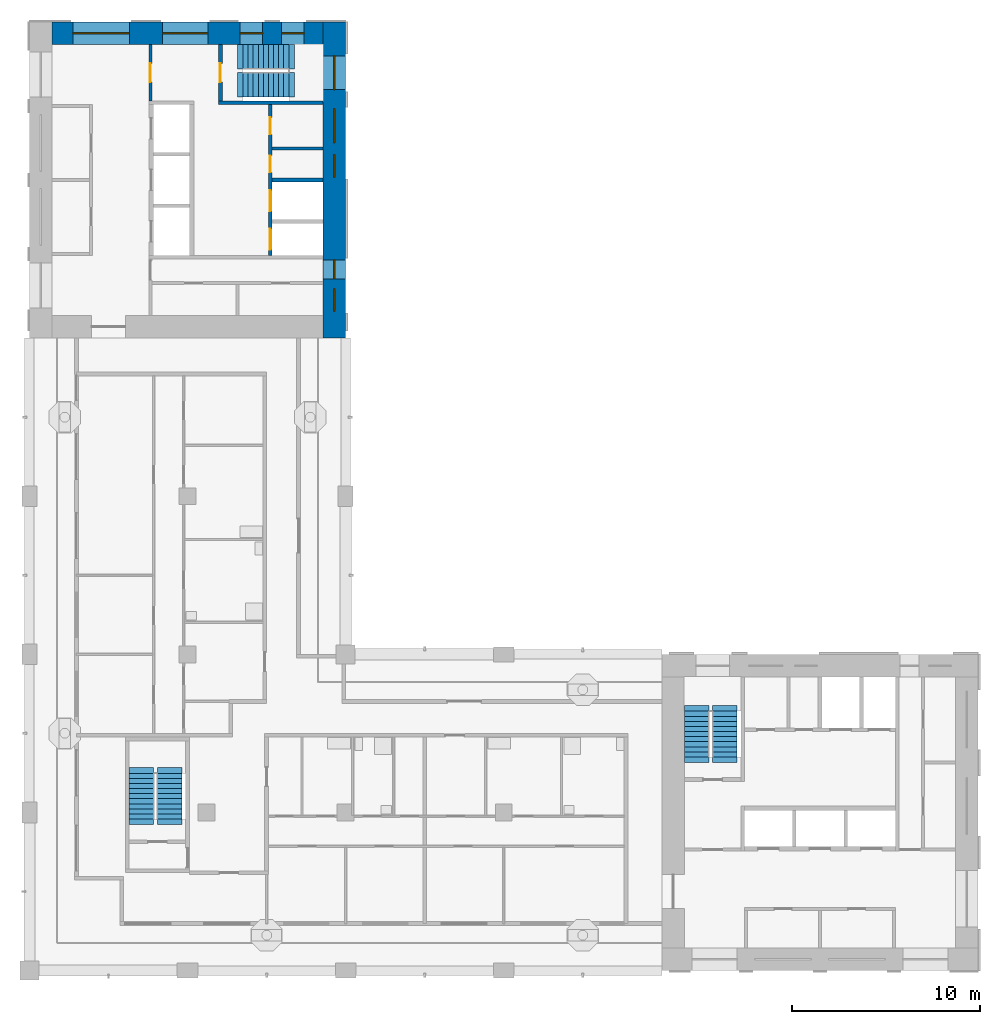
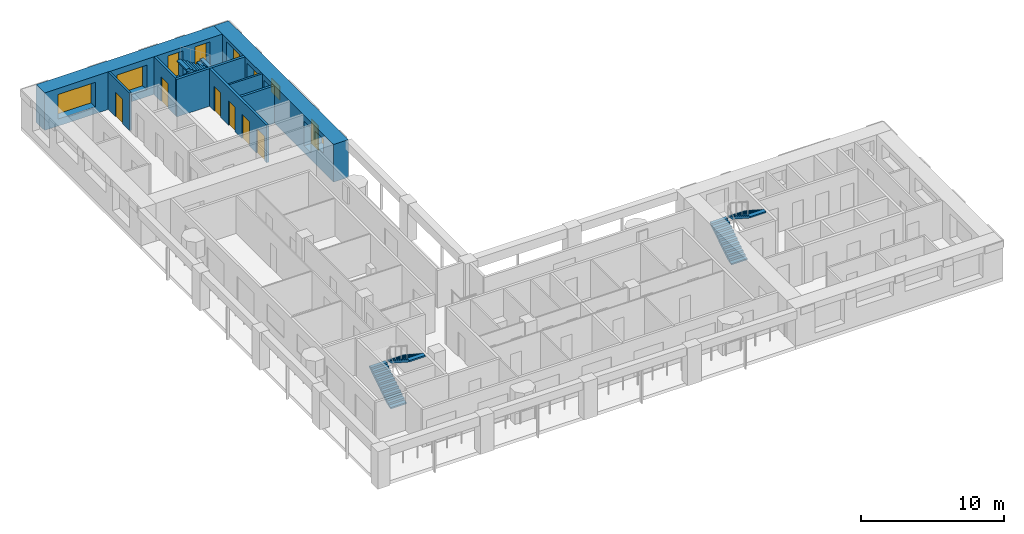
# One storey, part 6 of 11: 9 windows, 8 walls, 6 doors, 6 stair flights, 15 openings, 3 elements without a shape of their own.
"""IFC4 building model written with IfcOpenShell, lengths in metres."""

from ifc_helpers import new_model, si_unit, direction, frame, frame_2d, origin, place, context, subcontext, project, spatial, polyline, rectangle, outline, extrude, material, layer, layer_set, type_object, element, fill, aggregate, save


model = new_model("IFC4")

# Units and contexts
model_context = context("Model", 3, precision=1e-05, world=origin(), true_north=direction((0.0, 1.0)))
body_context = subcontext(model_context, "Body", "Model", "MODEL_VIEW")
ifc_project = project(units=[si_unit("LENGTHUNIT", "METRE"), si_unit("AREAUNIT", "SQUARE_METRE"), si_unit("VOLUMEUNIT", "CUBIC_METRE"), si_unit("PLANEANGLEUNIT", "RADIAN"), si_unit("MASSUNIT", "GRAM", prefix="KILO")], contexts=[model_context])

# Site, building, storey
site_placement = place(None, origin())
site = spatial("IfcSite", under=ifc_project, at=site_placement, CompositionType="ELEMENT")
building_placement = place(site_placement, origin())
building = spatial("IfcBuilding", under=site, at=building_placement, Name="Vermilion Gate Residences", CompositionType="ELEMENT")
storey_placement = place(building_placement, frame((0.0, 0.0, 263.199951171875)))
storey = spatial("IfcBuildingStorey", under=building, at=storey_placement, Name="L69", CompositionType="ELEMENT", Elevation=263.199951171875)

# Wall
ifc_material_1 = material(Name="Masonry blockwork", Category="masonry")
ifc_layer_1 = layer(ifc_material_1, 0.14990234375)
ifc_layer_set_1 = layer_set([ifc_layer_1], Name="BLOCKWORK PARTITION 150 EI 120")
wall_type_1 = type_object("IfcWallType", Name="BLOCKWORK PARTITION 150 EI 120", PredefinedType="PARTITIONING", material=ifc_layer_set_1)
wall_1_placement = place(storey_placement, frame((21.300048828125, 52.074951171875, 0.0), z_axis=(0.0, 0.0, 1.0), x_axis=(1.0, 0.0, 0.0)))
element("IfcWall", 1, at=wall_1_placement, inside=storey, type_object=wall_type_1, Name="Core room partition B69-NR-P0", PredefinedType="PARTITIONING", context=body_context, shape_type="SweptSolid", body=[
    extrude(rectangle(XDim=2.699951171875, YDim=0.14990234375, at=frame_2d((1.35009765625, 0.0))), origin(), (0.0, 0.0, 1.0), 3.219970703125),
])

# Wall, opening, door
wall_2_placement = place(storey_placement, frame((14.824951171875, 57.60009765625, 0.0), z_axis=(0.0, 0.0, 1.0), x_axis=(0.0, -1.0, 0.0)))
wall_2 = element("IfcWall", 2, at=wall_2_placement, inside=storey, type_object=wall_type_1, Name="Core room partition B69-VW-S", PredefinedType="PARTITIONING", context=body_context, shape_type="SweptSolid", body=[
    extrude(rectangle(XDim=3.0, YDim=0.14990234375, at=frame_2d((1.5, 0.0))), origin(), (0.0, 0.0, 1.0), 3.219970703125),
])
opening_1_placement = place(wall_2_placement, frame((1.0, 0.0, 0.0)))
opening_1 = element("IfcOpeningElement", 3, at=opening_1_placement, cuts=wall_2, Name="Opening DK69111", PredefinedType="OPENING", context=body_context, shape_type="SweptSolid", body=[
    extrude(rectangle(XDim=1.0, YDim=2.10009765625, at=frame_2d((0.5, 1.050048828125))), frame((0.0, 0.0849609375, 0.0), z_axis=(0.0, -1.0, 0.0), x_axis=(1.0, 0.0, 0.0)), (0.0, 0.0, 1.0), 0.169921875),
])
ifc_material_2 = material(Name="Steel", Category="steel")
door_type_1 = type_object("IfcDoorType", Name="FIRE DOOR FD60 1000 X 2100", OperationType="SINGLE_SWING_LEFT", PredefinedType="DOOR", material=ifc_material_2)
door_1_placement = place(opening_1_placement, frame((1.0, 0.0, 0.0), z_axis=(0.0, 0.0, 1.0), x_axis=(-1.0, 0.0, 0.0)))
door_1 = element("IfcDoor", 4, at=door_1_placement, inside=storey, type_object=door_type_1, Name="Stair vestibule door B69", OperationType="SINGLE_SWING_RIGHT", OverallHeight=2.10009765625, OverallWidth=1.0, PredefinedType="DOOR", context=body_context, shape_type="SweptSolid", body=[
    extrude(rectangle(XDim=1.0, YDim=2.10009765625, at=frame_2d((0.5, 1.050048828125))), frame((0.0, 0.02490234375, 0.0), z_axis=(0.0, -1.0, 0.0), x_axis=(1.0, 0.0, 0.0)), (0.0, 0.0, 1.0), 0.050048828125),
])
fill(opening_1, door_1)

# Wall
ifc_material_3 = material(Name="Concrete C60", Category="concrete")
ifc_layer_2 = layer(ifc_material_3, 0.199951171875)
ifc_layer_set_2 = layer_set([ifc_layer_2], Name="RC CORE INTERNAL WALL 200 C60")
wall_type_2 = type_object("IfcWallType", Name="RC CORE INTERNAL WALL 200 C60", PredefinedType="SHEAR", material=ifc_layer_set_2)
wall_3_placement = place(storey_placement, frame((21.300048828125, 50.39990234375, 0.0), z_axis=(0.0, 0.0, 1.0), x_axis=(1.0, 0.0, 0.0)))
element("IfcWall", 5, at=wall_3_placement, inside=storey, type_object=wall_type_2, Name="Core internal wall B69-FF-D0", PredefinedType="SHEAR", context=body_context, shape_type="SweptSolid", body=[
    extrude(rectangle(XDim=2.699951171875, YDim=0.199951171875, at=frame_2d((1.35009765625, 0.0))), origin(), (0.0, 0.0, 1.0), 3.219970703125),
])

# Wall, openings, doors
wall_4_placement = place(storey_placement, frame((21.199951171875, 54.39990234375, 0.0), z_axis=(0.0, 0.0, 1.0), x_axis=(0.0, -1.0, 0.0)))
wall_4 = element("IfcWall", 6, at=wall_4_placement, inside=storey, type_object=wall_type_2, Name="Core internal wall B69-FF-F", PredefinedType="SHEAR", context=body_context, shape_type="SweptSolid", body=[
    extrude(rectangle(XDim=8.0, YDim=0.199951171875, at=frame_2d((4.0, 0.0))), origin(), (0.0, 0.0, 1.0), 3.219970703125),
])
opening_2_placement = place(wall_4_placement, frame((0.675048828125, 0.0, 0.0)))
opening_2 = element("IfcOpeningElement", 7, at=opening_2_placement, cuts=wall_4, Name="Opening DK69107", PredefinedType="OPENING", context=body_context, shape_type="SweptSolid", body=[
    extrude(rectangle(XDim=0.89990234375, YDim=2.10009765625, at=frame_2d((0.449951171875, 1.050048828125))), frame((0.0, 0.10986328125, 0.0), z_axis=(0.0, -1.0, 0.0), x_axis=(1.0, 0.0, 0.0)), (0.0, 0.0, 1.0), 0.219970703125),
])
opening_3_placement = place(wall_4_placement, frame((2.699951171875, 0.0, 0.0)))
opening_3 = element("IfcOpeningElement", 8, at=opening_3_placement, cuts=wall_4, Name="Opening DK69108", PredefinedType="OPENING", context=body_context, shape_type="SweptSolid", body=[
    extrude(rectangle(XDim=0.89990234375, YDim=2.10009765625, at=frame_2d((0.449951171875, 1.050048828125))), frame((0.0, 0.10986328125, 0.0), z_axis=(0.0, -1.0, 0.0), x_axis=(1.0, 0.0, 0.0)), (0.0, 0.0, 1.0), 0.219970703125),
])
opening_4_placement = place(wall_4_placement, frame((4.550048828125, 0.0, 0.0)))
opening_4 = element("IfcOpeningElement", 9, at=opening_4_placement, cuts=wall_4, Name="Opening LD", PredefinedType="OPENING", context=body_context, shape_type="SweptSolid", body=[
    extrude(rectangle(XDim=1.10009765625, YDim=2.10009765625, at=frame_2d((0.550048828125, 1.050048828125))), frame((0.0, 0.10986328125, 0.0), z_axis=(0.0, -1.0, 0.0), x_axis=(1.0, 0.0, 0.0)), (0.0, 0.0, 1.0), 0.219970703125),
])
opening_5_placement = place(wall_4_placement, frame((6.60009765625, 0.0, 0.0)))
opening_5 = element("IfcOpeningElement", 10, at=opening_5_placement, cuts=wall_4, Name="Opening LD", PredefinedType="OPENING", context=body_context, shape_type="SweptSolid", body=[
    extrude(rectangle(XDim=1.10009765625, YDim=2.10009765625, at=frame_2d((0.550048828125, 1.050048828125))), frame((0.0, 0.10986328125, 0.0), z_axis=(0.0, -1.0, 0.0), x_axis=(1.0, 0.0, 0.0)), (0.0, 0.0, 1.0), 0.219970703125),
])
ifc_material_4 = material(Name="Stainless steel", Category="steel")
door_type_2 = type_object("IfcDoorType", Name="LIFT LANDING DOOR E60 1100 X 2100", OperationType="DOUBLE_DOOR_SLIDING", PredefinedType="DOOR", material=ifc_material_4)
door_2_placement = place(opening_4_placement, origin())
door_2 = element("IfcDoor", 11, at=door_2_placement, inside=storey, type_object=door_type_2, Name="Lift landing door LFB1", OperationType="DOUBLE_DOOR_SLIDING", OverallHeight=2.10009765625, OverallWidth=1.10009765625, PredefinedType="DOOR", context=body_context, shape_type="SweptSolid", body=[
    extrude(rectangle(XDim=1.10009765625, YDim=2.10009765625, at=frame_2d((0.550048828125, 1.050048828125))), frame((0.0, 0.02490234375, 0.0), z_axis=(0.0, -1.0, 0.0), x_axis=(1.0, 0.0, 0.0)), (0.0, 0.0, 1.0), 0.050048828125),
])
fill(opening_4, door_2)
door_3_placement = place(opening_5_placement, origin())
door_3 = element("IfcDoor", 12, at=door_3_placement, inside=storey, type_object=door_type_2, Name="Lift landing door LCB1", OperationType="DOUBLE_DOOR_SLIDING", OverallHeight=2.10009765625, OverallWidth=1.10009765625, PredefinedType="DOOR", context=body_context, shape_type="SweptSolid", body=[
    extrude(rectangle(XDim=1.10009765625, YDim=2.10009765625, at=frame_2d((0.550048828125, 1.050048828125))), frame((0.0, 0.02490234375, 0.0), z_axis=(0.0, -1.0, 0.0), x_axis=(1.0, 0.0, 0.0)), (0.0, 0.0, 1.0), 0.050048828125),
])
fill(opening_5, door_3)
ifc_material_5 = material(Name="Steel", Category="steel")
door_type_3 = type_object("IfcDoorType", Name="SERVICE ROOM DOOR FD60 900 X 2100", OperationType="SINGLE_SWING_LEFT", PredefinedType="DOOR", material=ifc_material_5)
door_4_placement = place(opening_2_placement, origin())
door_4 = element("IfcDoor", 13, at=door_4_placement, inside=storey, type_object=door_type_3, Name="Parcel room B69", OperationType="SINGLE_SWING_RIGHT", OverallHeight=2.10009765625, OverallWidth=0.89990234375, PredefinedType="DOOR", context=body_context, shape_type="SweptSolid", body=[
    extrude(rectangle(XDim=0.89990234375, YDim=2.10009765625, at=frame_2d((0.449951171875, 1.050048828125))), frame((0.0, 0.02490234375, 0.0), z_axis=(0.0, -1.0, 0.0), x_axis=(1.0, 0.0, 0.0)), (0.0, 0.0, 1.0), 0.050048828125),
])
fill(opening_2, door_4)
door_5_placement = place(opening_3_placement, frame((0.89990234375, 0.0, 0.0), z_axis=(0.0, 0.0, 1.0), x_axis=(-1.0, 0.0, 0.0)))
door_5 = element("IfcDoor", 14, at=door_5_placement, inside=storey, type_object=door_type_3, Name="Electrical room B69", OperationType="SINGLE_SWING_RIGHT", OverallHeight=2.10009765625, OverallWidth=0.89990234375, PredefinedType="DOOR", context=body_context, shape_type="SweptSolid", body=[
    extrude(rectangle(XDim=0.89990234375, YDim=2.10009765625, at=frame_2d((0.449951171875, 1.050048828125))), frame((0.0, 0.02490234375, 0.0), z_axis=(0.0, -1.0, 0.0), x_axis=(1.0, 0.0, 0.0)), (0.0, 0.0, 1.0), 0.050048828125),
])
fill(opening_3, door_5)

# Wall
wall_5_placement = place(storey_placement, frame((18.449951171875, 54.5, 0.0), z_axis=(0.0, 0.0, 1.0), x_axis=(1.0, 0.0, 0.0)))
element("IfcWall", 15, at=wall_5_placement, inside=storey, type_object=wall_type_2, Name="Core internal wall B69-WDIV2", PredefinedType="SHEAR", context=body_context, shape_type="SweptSolid", body=[
    extrude(rectangle(XDim=5.550048828125, YDim=0.199951171875, at=frame_2d((2.77490234375, 0.0))), origin(), (0.0, 0.0, 1.0), 3.219970703125),
])

# Wall, opening, door
wall_6_placement = place(storey_placement, frame((18.550048828125, 57.60009765625, 0.0), z_axis=(0.0, 0.0, 1.0), x_axis=(0.0, -1.0, 0.0)))
wall_6 = element("IfcWall", 16, at=wall_6_placement, inside=storey, type_object=wall_type_2, Name="Core internal wall B69-STW-S", PredefinedType="SHEAR", context=body_context, shape_type="SweptSolid", body=[
    extrude(rectangle(XDim=3.0, YDim=0.199951171875, at=frame_2d((1.5, 0.0))), origin(), (0.0, 0.0, 1.0), 3.219970703125),
])
opening_6_placement = place(wall_6_placement, frame((1.0, 0.0, 0.0)))
opening_6 = element("IfcOpeningElement", 17, at=opening_6_placement, cuts=wall_6, Name="Opening DK69112", PredefinedType="OPENING", context=body_context, shape_type="SweptSolid", body=[
    extrude(rectangle(XDim=1.0, YDim=2.10009765625, at=frame_2d((0.5, 1.050048828125))), frame((0.0, 0.10986328125, 0.0), z_axis=(0.0, -1.0, 0.0), x_axis=(1.0, 0.0, 0.0)), (0.0, 0.0, 1.0), 0.219970703125),
])
door_6_placement = place(opening_6_placement, origin())
door_6 = element("IfcDoor", 18, at=door_6_placement, inside=storey, type_object=door_type_1, Name="Stair door B69", OperationType="SINGLE_SWING_LEFT", OverallHeight=2.10009765625, OverallWidth=1.0, PredefinedType="DOOR", context=body_context, shape_type="SweptSolid", body=[
    extrude(rectangle(XDim=1.0, YDim=2.10009765625, at=frame_2d((0.5, 1.050048828125))), frame((0.0, 0.02490234375, 0.0), z_axis=(0.0, -1.0, 0.0), x_axis=(1.0, 0.0, 0.0)), (0.0, 0.0, 1.0), 0.050048828125),
])
fill(opening_6, door_6)

# Wall, openings, windows
ifc_material_6 = material(Name="Concrete C50 red-oxide pigmented", Category="concrete")
ifc_layer_3 = layer(ifc_material_6, 1.199951171875)
ifc_layer_set_3 = layer_set([ifc_layer_3], Name="RC CORE WALL 1200 C50 RED OXIDE")
wall_type_3 = type_object("IfcWallType", Name="RC CORE WALL 1200 C50 RED OXIDE", PredefinedType="SHEAR", material=ifc_layer_set_3)
wall_7_placement = place(storey_placement, frame((24.60009765625, 58.800048828125, 0.0), z_axis=(0.0, 0.0, 1.0), x_axis=(0.0, -1.0, 0.0)))
wall_7 = element("IfcWall", 19, at=wall_7_placement, inside=storey, type_object=wall_type_3, Name="Core wall B69-OUT-B1", PredefinedType="SHEAR", context=body_context, shape_type="SweptSolid", body=[
    extrude(rectangle(XDim=16.800048828125, YDim=1.199951171875, at=frame_2d((8.39990234375, 0.0))), origin(), (0.0, 0.0, 1.0), 3.219970703125),
])
opening_7_placement = place(wall_7_placement, frame((1.800048828125, 0.0, 0.5)))
opening_7 = element("IfcOpeningElement", 20, at=opening_7_placement, cuts=wall_7, Name="Opening WKB6905", PredefinedType="OPENING", context=body_context, shape_type="SweptSolid", body=[
    extrude(rectangle(XDim=1.800048828125, YDim=2.39990234375, at=frame_2d((0.89990234375, 1.199951171875))), frame((0.0, 0.60986328125, 0.0), z_axis=(0.0, -1.0, 0.0), x_axis=(1.0, 0.0, 0.0)), (0.0, 0.0, 1.0), 1.219970703125),
])
opening_8_placement = place(wall_7_placement, frame((4.625, 0.0, 1.60009765625)))
opening_8 = element("IfcOpeningElement", 21, at=opening_8_placement, cuts=wall_7, Name="Opening WKB6906", PredefinedType="OPENING", context=body_context, shape_type="SweptSolid", body=[
    extrude(rectangle(XDim=1.800048828125, YDim=1.199951171875, at=frame_2d((0.89990234375, 0.60009765625))), frame((0.0, 0.60986328125, 0.0), z_axis=(0.0, -1.0, 0.0), x_axis=(1.0, 0.0, 0.0)), (0.0, 0.0, 1.0), 1.219970703125),
])
opening_9_placement = place(wall_7_placement, frame((7.050048828125, 0.0, 1.60009765625)))
opening_9 = element("IfcOpeningElement", 22, at=opening_9_placement, cuts=wall_7, Name="Opening WKB6907", PredefinedType="OPENING", context=body_context, shape_type="SweptSolid", body=[
    extrude(rectangle(XDim=1.199951171875, YDim=1.199951171875, at=frame_2d((0.60009765625, 0.60009765625))), frame((0.0, 0.60986328125, 0.0), z_axis=(0.0, -1.0, 0.0), x_axis=(1.0, 0.0, 0.0)), (0.0, 0.0, 1.0), 1.219970703125),
])
opening_10_placement = place(wall_7_placement, frame((12.64990234375, 0.0, 0.60009765625)))
opening_10 = element("IfcOpeningElement", 23, at=opening_10_placement, cuts=wall_7, Name="Opening WKB6908", PredefinedType="OPENING", context=body_context, shape_type="SweptSolid", body=[
    extrude(rectangle(XDim=1.0, YDim=2.10009765625, at=frame_2d((0.5, 1.050048828125))), frame((0.0, 0.60986328125, 0.0), z_axis=(0.0, -1.0, 0.0), x_axis=(1.0, 0.0, 0.0)), (0.0, 0.0, 1.0), 1.219970703125),
])
opening_11_placement = place(wall_7_placement, frame((14.175048828125, 0.0, 1.60009765625)))
opening_11 = element("IfcOpeningElement", 24, at=opening_11_placement, cuts=wall_7, Name="Opening WKB6909", PredefinedType="OPENING", context=body_context, shape_type="SweptSolid", body=[
    extrude(rectangle(XDim=1.199951171875, YDim=1.199951171875, at=frame_2d((0.60009765625, 0.60009765625))), frame((0.0, 0.60986328125, 0.0), z_axis=(0.0, -1.0, 0.0), x_axis=(1.0, 0.0, 0.0)), (0.0, 0.0, 1.0), 1.219970703125),
])
ifc_material_7 = material(Name="Aluminium and clear glass", Category="aluminium")
window_type_1 = type_object("IfcWindowType", Name="CORE CORRIDOR WINDOW 1000 X 2100", PartitioningType="SINGLE_PANEL", PredefinedType="WINDOW", material=ifc_material_7)
window_1_placement = place(opening_10_placement, origin())
window_1 = element("IfcWindow", 25, at=window_1_placement, inside=storey, type_object=window_type_1, Name="Core corridor window", OverallHeight=2.10009765625, OverallWidth=1.0, PartitioningType="SINGLE_PANEL", PredefinedType="WINDOW", context=body_context, shape_type="SweptSolid", body=[
    extrude(rectangle(XDim=1.0, YDim=2.10009765625, at=frame_2d((0.5, 1.050048828125))), frame((0.0, 0.030029296875, 0.0), z_axis=(0.0, -1.0, 0.0), x_axis=(1.0, 0.0, 0.0)), (0.0, 0.0, 1.0), 0.06005859375),
])
fill(opening_10, window_1)
ifc_material_8 = material(Name="Aluminium frame with louvre blades", Category="aluminium")
window_type_2 = type_object("IfcWindowType", Name="CORE LOUVRE 1200 X 1200", PartitioningType="SINGLE_PANEL", PredefinedType="WINDOW", material=ifc_material_8)
window_2_placement = place(opening_9_placement, origin())
window_2 = element("IfcWindow", 26, at=window_2_placement, inside=storey, type_object=window_type_2, Name="Core louvre", OverallHeight=1.199951171875, OverallWidth=1.199951171875, PartitioningType="SINGLE_PANEL", PredefinedType="WINDOW", context=body_context, shape_type="SweptSolid", body=[
    extrude(rectangle(XDim=1.199951171875, YDim=1.199951171875, at=frame_2d((0.60009765625, 0.60009765625))), frame((0.0, 0.030029296875, 0.0), z_axis=(0.0, -1.0, 0.0), x_axis=(1.0, 0.0, 0.0)), (0.0, 0.0, 1.0), 0.06005859375),
])
fill(opening_9, window_2)
window_3_placement = place(opening_11_placement, origin())
window_3 = element("IfcWindow", 27, at=window_3_placement, inside=storey, type_object=window_type_2, Name="Core louvre", OverallHeight=1.199951171875, OverallWidth=1.199951171875, PartitioningType="SINGLE_PANEL", PredefinedType="WINDOW", context=body_context, shape_type="SweptSolid", body=[
    extrude(rectangle(XDim=1.199951171875, YDim=1.199951171875, at=frame_2d((0.60009765625, 0.60009765625))), frame((0.0, 0.030029296875, 0.0), z_axis=(0.0, -1.0, 0.0), x_axis=(1.0, 0.0, 0.0)), (0.0, 0.0, 1.0), 0.06005859375),
])
fill(opening_11, window_3)
ifc_material_9 = material(Name="Aluminium frame with louvre blades", Category="aluminium")
window_type_3 = type_object("IfcWindowType", Name="CORE LOUVRE 1800 X 1200", PartitioningType="SINGLE_PANEL", PredefinedType="WINDOW", material=ifc_material_9)
window_4_placement = place(opening_8_placement, origin())
window_4 = element("IfcWindow", 28, at=window_4_placement, inside=storey, type_object=window_type_3, Name="Core louvre", OverallHeight=1.199951171875, OverallWidth=1.800048828125, PartitioningType="SINGLE_PANEL", PredefinedType="WINDOW", context=body_context, shape_type="SweptSolid", body=[
    extrude(rectangle(XDim=1.800048828125, YDim=1.199951171875, at=frame_2d((0.89990234375, 0.60009765625))), frame((0.0, 0.030029296875, 0.0), z_axis=(0.0, -1.0, 0.0), x_axis=(1.0, 0.0, 0.0)), (0.0, 0.0, 1.0), 0.06005859375),
])
fill(opening_8, window_4)
ifc_material_10 = material(Name="Aluminium and clear glass", Category="aluminium")
window_type_4 = type_object("IfcWindowType", Name="CORE STAIR WINDOW 1800 X 2400", PartitioningType="SINGLE_PANEL", PredefinedType="WINDOW", material=ifc_material_10)
window_5_placement = place(opening_7_placement, origin())
window_5 = element("IfcWindow", 29, at=window_5_placement, inside=storey, type_object=window_type_4, Name="Core stair window", OverallHeight=2.39990234375, OverallWidth=1.800048828125, PartitioningType="SINGLE_PANEL", PredefinedType="WINDOW", context=body_context, shape_type="SweptSolid", body=[
    extrude(rectangle(XDim=1.800048828125, YDim=2.39990234375, at=frame_2d((0.89990234375, 1.199951171875))), frame((0.0, 0.030029296875, 0.0), z_axis=(0.0, -1.0, 0.0), x_axis=(1.0, 0.0, 0.0)), (0.0, 0.0, 1.0), 0.06005859375),
])
fill(opening_7, window_5)

wall_8_placement = place(storey_placement, frame((9.60009765625, 58.199951171875, 0.0), z_axis=(0.0, 0.0, 1.0), x_axis=(1.0, 0.0, 0.0)))
wall_8 = element("IfcWall", 30, at=wall_8_placement, inside=storey, type_object=wall_type_3, Name="Core wall B69-OUT-FR", PredefinedType="SHEAR", context=body_context, shape_type="SweptSolid", body=[
    extrude(rectangle(XDim=14.39990234375, YDim=1.199951171875, at=frame_2d((7.199951171875, 0.0))), origin(), (0.0, 0.0, 1.0), 3.219970703125),
])
opening_12_placement = place(wall_8_placement, frame((1.10498046875, 0.0, 0.60009765625)))
opening_12 = element("IfcOpeningElement", 31, at=opening_12_placement, cuts=wall_8, Name="Opening WKB6910", PredefinedType="OPENING", context=body_context, shape_type="SweptSolid", body=[
    extrude(rectangle(XDim=3.0, YDim=2.10009765625, at=frame_2d((1.5, 1.050048828125))), frame((0.0, 0.60986328125, 0.0), z_axis=(0.0, -1.0, 0.0), x_axis=(1.0, 0.0, 0.0)), (0.0, 0.0, 1.0), 1.219970703125),
])
opening_13_placement = place(wall_8_placement, frame((5.875, 0.0, 0.60009765625)))
opening_13 = element("IfcOpeningElement", 32, at=opening_13_placement, cuts=wall_8, Name="Opening WKB6911", PredefinedType="OPENING", context=body_context, shape_type="SweptSolid", body=[
    extrude(rectangle(XDim=2.39990234375, YDim=2.10009765625, at=frame_2d((1.199951171875, 1.050048828125))), frame((0.0, 0.60986328125, 0.0), z_axis=(0.0, -1.0, 0.0), x_axis=(1.0, 0.0, 0.0)), (0.0, 0.0, 1.0), 1.219970703125),
])
opening_14_placement = place(wall_8_placement, frame((9.993408203125, 0.0, 0.5)))
opening_14 = element("IfcOpeningElement", 33, at=opening_14_placement, cuts=wall_8, Name="Opening WKB6912", PredefinedType="OPENING", context=body_context, shape_type="SweptSolid", body=[
    extrude(rectangle(XDim=1.199951171875, YDim=2.39990234375, at=frame_2d((0.60009765625, 1.199951171875))), frame((0.0, 0.60986328125, 0.0), z_axis=(0.0, -1.0, 0.0), x_axis=(1.0, 0.0, 0.0)), (0.0, 0.0, 1.0), 1.219970703125),
])
opening_15_placement = place(wall_8_placement, frame((12.19677734375, 0.0, 0.5)))
opening_15 = element("IfcOpeningElement", 34, at=opening_15_placement, cuts=wall_8, Name="Opening WKB6913", PredefinedType="OPENING", context=body_context, shape_type="SweptSolid", body=[
    extrude(rectangle(XDim=1.199951171875, YDim=2.39990234375, at=frame_2d((0.60009765625, 1.199951171875))), frame((0.0, 0.60986328125, 0.0), z_axis=(0.0, -1.0, 0.0), x_axis=(1.0, 0.0, 0.0)), (0.0, 0.0, 1.0), 1.219970703125),
])
ifc_material_11 = material(Name="Aluminium and clear glass", Category="aluminium")
window_type_5 = type_object("IfcWindowType", Name="CORE LOBBY WINDOW 2400 X 2100", PartitioningType="SINGLE_PANEL", PredefinedType="WINDOW", material=ifc_material_11)
window_6_placement = place(opening_13_placement, origin())
window_6 = element("IfcWindow", 35, at=window_6_placement, inside=storey, type_object=window_type_5, Name="Core lobby window", OverallHeight=2.10009765625, OverallWidth=2.39990234375, PartitioningType="SINGLE_PANEL", PredefinedType="WINDOW", context=body_context, shape_type="SweptSolid", body=[
    extrude(rectangle(XDim=2.39990234375, YDim=2.10009765625, at=frame_2d((1.199951171875, 1.050048828125))), frame((0.0, 0.030029296875, 0.0), z_axis=(0.0, -1.0, 0.0), x_axis=(1.0, 0.0, 0.0)), (0.0, 0.0, 1.0), 0.06005859375),
])
fill(opening_13, window_6)
ifc_material_12 = material(Name="Aluminium and clear glass", Category="aluminium")
window_type_6 = type_object("IfcWindowType", Name="CORE LOBBY WINDOW 3000 X 2100", PartitioningType="SINGLE_PANEL", PredefinedType="WINDOW", material=ifc_material_12)
window_7_placement = place(opening_12_placement, origin())
window_7 = element("IfcWindow", 36, at=window_7_placement, inside=storey, type_object=window_type_6, Name="Core lobby window", OverallHeight=2.10009765625, OverallWidth=3.0, PartitioningType="SINGLE_PANEL", PredefinedType="WINDOW", context=body_context, shape_type="SweptSolid", body=[
    extrude(rectangle(XDim=3.0, YDim=2.10009765625, at=frame_2d((1.5, 1.050048828125))), frame((0.0, 0.030029296875, 0.0), z_axis=(0.0, -1.0, 0.0), x_axis=(1.0, 0.0, 0.0)), (0.0, 0.0, 1.0), 0.06005859375),
])
fill(opening_12, window_7)
ifc_material_13 = material(Name="Aluminium and clear glass", Category="aluminium")
window_type_7 = type_object("IfcWindowType", Name="CORE STAIR WINDOW 1200 X 2400", PartitioningType="SINGLE_PANEL", PredefinedType="WINDOW", material=ifc_material_13)
window_8_placement = place(opening_14_placement, origin())
window_8 = element("IfcWindow", 37, at=window_8_placement, inside=storey, type_object=window_type_7, Name="Core stair window", OverallHeight=2.39990234375, OverallWidth=1.199951171875, PartitioningType="SINGLE_PANEL", PredefinedType="WINDOW", context=body_context, shape_type="SweptSolid", body=[
    extrude(rectangle(XDim=1.199951171875, YDim=2.39990234375, at=frame_2d((0.60009765625, 1.199951171875))), frame((0.0, 0.030029296875, 0.0), z_axis=(0.0, -1.0, 0.0), x_axis=(1.0, 0.0, 0.0)), (0.0, 0.0, 1.0), 0.06005859375),
])
fill(opening_14, window_8)
window_9_placement = place(opening_15_placement, origin())
window_9 = element("IfcWindow", 38, at=window_9_placement, inside=storey, type_object=window_type_7, Name="Core stair window", OverallHeight=2.39990234375, OverallWidth=1.199951171875, PartitioningType="SINGLE_PANEL", PredefinedType="WINDOW", context=body_context, shape_type="SweptSolid", body=[
    extrude(rectangle(XDim=1.199951171875, YDim=2.39990234375, at=frame_2d((0.60009765625, 1.199951171875))), frame((0.0, 0.030029296875, 0.0), z_axis=(0.0, -1.0, 0.0), x_axis=(1.0, 0.0, 0.0)), (0.0, 0.0, 1.0), 0.06005859375),
])
fill(opening_15, window_9)

# Stair, stair flights
ifc_material_14 = material(Name="Concrete C50", Category="concrete")
stair_type = type_object("IfcStairType", Name="SPECIAL ESCAPE STAIR 1300", PredefinedType="HALF_TURN_STAIR", material=ifc_material_14)
stair_1_placement = place(storey_placement, origin())
stair_1 = element("IfcStair", 39, at=stair_1_placement, inside=storey, type_object=stair_type, Name="Special escape stair STA1-69", PredefinedType="HALF_TURN_STAIR")
ifc_material_15 = material(Name="Concrete C50", Category="concrete")
stair_flight_type = type_object("IfcStairFlightType", Name="STAIR FLIGHT 1300 RC C50", PredefinedType="STRAIGHT", material=ifc_material_15)
stair_flight_1_placement = place(storey_placement, frame((43.85009765625, 19.75, 0.0), z_axis=(0.0, 0.0, 1.0), x_axis=(0.0, 1.0, 0.0)))
stair_flight_1 = element("IfcStairFlight", 40, at=stair_flight_1_placement, type_object=stair_flight_type, Name="STA1-69 flight 1", NumberOfRisers=10, NumberOfTreads=9, PredefinedType="STRAIGHT", RiserHeight=0.175, TreadLength=0.27, context=body_context, shape_type="SweptSolid", body=[
    extrude(outline(polyline([(-0.300048828125, -0.14990234375), (-0.300048828125, -0.030029296875), (0.0, 0.0), (0.0, 0.175048828125), (0.27001953125, 0.175048828125), (0.27001953125, 0.35009765625), (0.5400390625, 0.35009765625), (0.5400390625, 0.52490234375), (0.81005859375, 0.52490234375), (0.81005859375, 0.699951171875), (1.080078125, 0.699951171875), (1.080078125, 0.875), (1.35009765625, 0.875), (1.35009765625, 1.050048828125), (1.6201171875, 1.050048828125), (1.6201171875, 1.22509765625), (1.889892578125, 1.22509765625), (1.889892578125, 1.39990234375), (2.159912109375, 1.39990234375), (2.159912109375, 1.574951171875), (2.429931640625, 1.574951171875), (2.429931640625, 1.75), (2.72998046875, 1.719970703125), (2.72998046875, 1.60009765625), (2.429931640625, 1.396484375), (0.275634765625, 0.0), (-0.300048828125, -0.14990234375)])), frame((0.0, 0.64990234375, 0.0), z_axis=(0.0, -1.0, 0.0), x_axis=(1.0, 0.0, 0.0)), (0.0, 0.0, 1.0), 1.300048828125),
])
stair_flight_2_placement = place(storey_placement, frame((45.35009765625, 22.179931640625, 1.75), z_axis=(0.0, 0.0, 1.0), x_axis=(0.0, -1.0, 0.0)))
stair_flight_2 = element("IfcStairFlight", 41, at=stair_flight_2_placement, type_object=stair_flight_type, Name="STA1-69 flight 2", NumberOfRisers=10, NumberOfTreads=9, PredefinedType="STRAIGHT", RiserHeight=0.175, TreadLength=0.27, context=body_context, shape_type="SweptSolid", body=[
    extrude(outline(polyline([(-0.300048828125, -0.14990234375), (-0.300048828125, -0.030029296875), (0.0, 0.0), (0.0, 0.175048828125), (0.27001953125, 0.175048828125), (0.27001953125, 0.35009765625), (0.5400390625, 0.35009765625), (0.5400390625, 0.52490234375), (0.81005859375, 0.52490234375), (0.81005859375, 0.699951171875), (1.080078125, 0.699951171875), (1.080078125, 0.875), (1.35009765625, 0.875), (1.35009765625, 1.050048828125), (1.6201171875, 1.050048828125), (1.6201171875, 1.22509765625), (1.889892578125, 1.22509765625), (1.889892578125, 1.39990234375), (2.159912109375, 1.39990234375), (2.159912109375, 1.574951171875), (2.429931640625, 1.574951171875), (2.429931640625, 1.75), (2.72998046875, 1.719970703125), (2.72998046875, 1.60009765625), (2.429931640625, 1.396484375), (0.275634765625, 0.0), (-0.300048828125, -0.14990234375)])), frame((0.0, 0.64990234375, 0.0), z_axis=(0.0, -1.0, 0.0), x_axis=(1.0, 0.0, 0.0)), (0.0, 0.0, 1.0), 1.300048828125),
])
aggregate(stair_1, [stair_flight_1, stair_flight_2])

stair_2_placement = place(storey_placement, origin())
stair_2 = element("IfcStair", 42, at=stair_2_placement, inside=storey, type_object=stair_type, Name="Special escape stair STB1-69", PredefinedType="HALF_TURN_STAIR")
stair_flight_3_placement = place(storey_placement, frame((19.75, 56.949951171875, 0.0), z_axis=(0.0, 0.0, 1.0), x_axis=(1.0, 0.0, 0.0)))
stair_flight_3 = element("IfcStairFlight", 43, at=stair_flight_3_placement, type_object=stair_flight_type, Name="STB1-69 flight 1", NumberOfRisers=10, NumberOfTreads=9, PredefinedType="STRAIGHT", RiserHeight=0.175, TreadLength=0.27, context=body_context, shape_type="SweptSolid", body=[
    extrude(outline(polyline([(-0.300048828125, -0.14990234375), (-0.300048828125, -0.030029296875), (0.0, 0.0), (0.0, 0.175048828125), (0.27001953125, 0.175048828125), (0.27001953125, 0.35009765625), (0.5400390625, 0.35009765625), (0.5400390625, 0.52490234375), (0.81005859375, 0.52490234375), (0.81005859375, 0.699951171875), (1.080078125, 0.699951171875), (1.080078125, 0.875), (1.35009765625, 0.875), (1.35009765625, 1.050048828125), (1.6201171875, 1.050048828125), (1.6201171875, 1.22509765625), (1.889892578125, 1.22509765625), (1.889892578125, 1.39990234375), (2.159912109375, 1.39990234375), (2.159912109375, 1.574951171875), (2.429931640625, 1.574951171875), (2.429931640625, 1.75), (2.72998046875, 1.719970703125), (2.72998046875, 1.60009765625), (2.429931640625, 1.396484375), (0.275634765625, 0.0), (-0.300048828125, -0.14990234375)])), frame((0.0, 0.64990234375, 0.0), z_axis=(0.0, -1.0, 0.0), x_axis=(1.0, 0.0, 0.0)), (0.0, 0.0, 1.0), 1.300048828125),
])
stair_flight_4_placement = place(storey_placement, frame((22.179931640625, 55.449951171875, 1.75), z_axis=(0.0, 0.0, 1.0), x_axis=(-1.0, 0.0, 0.0)))
stair_flight_4 = element("IfcStairFlight", 44, at=stair_flight_4_placement, type_object=stair_flight_type, Name="STB1-69 flight 2", NumberOfRisers=10, NumberOfTreads=9, PredefinedType="STRAIGHT", RiserHeight=0.175, TreadLength=0.27, context=body_context, shape_type="SweptSolid", body=[
    extrude(outline(polyline([(-0.300048828125, -0.14990234375), (-0.300048828125, -0.030029296875), (0.0, 0.0), (0.0, 0.175048828125), (0.27001953125, 0.175048828125), (0.27001953125, 0.35009765625), (0.5400390625, 0.35009765625), (0.5400390625, 0.52490234375), (0.81005859375, 0.52490234375), (0.81005859375, 0.699951171875), (1.080078125, 0.699951171875), (1.080078125, 0.875), (1.35009765625, 0.875), (1.35009765625, 1.050048828125), (1.6201171875, 1.050048828125), (1.6201171875, 1.22509765625), (1.889892578125, 1.22509765625), (1.889892578125, 1.39990234375), (2.159912109375, 1.39990234375), (2.159912109375, 1.574951171875), (2.429931640625, 1.574951171875), (2.429931640625, 1.75), (2.72998046875, 1.719970703125), (2.72998046875, 1.60009765625), (2.429931640625, 1.396484375), (0.275634765625, 0.0), (-0.300048828125, -0.14990234375)])), frame((0.0, 0.64990234375, 0.0), z_axis=(0.0, -1.0, 0.0), x_axis=(1.0, 0.0, 0.0)), (0.0, 0.0, 1.0), 1.300048828125),
])
aggregate(stair_2, [stair_flight_3, stair_flight_4])

stair_3_placement = place(storey_placement, origin())
stair_3 = element("IfcStair", 45, at=stair_3_placement, inside=storey, type_object=stair_type, Name="Special escape stair STC1-69", PredefinedType="HALF_TURN_STAIR")
stair_flight_5_placement = place(storey_placement, frame((14.35009765625, 16.449951171875, 0.0), z_axis=(0.0, 0.0, 1.0), x_axis=(0.0, 1.0, 0.0)))
stair_flight_5 = element("IfcStairFlight", 46, at=stair_flight_5_placement, type_object=stair_flight_type, Name="STC1-69 flight 1", NumberOfRisers=10, NumberOfTreads=9, PredefinedType="STRAIGHT", RiserHeight=0.175, TreadLength=0.27, context=body_context, shape_type="SweptSolid", body=[
    extrude(outline(polyline([(-0.300048828125, -0.14990234375), (-0.300048828125, -0.030029296875), (0.0, 0.0), (0.0, 0.175048828125), (0.27001953125, 0.175048828125), (0.27001953125, 0.35009765625), (0.5400390625, 0.35009765625), (0.5400390625, 0.52490234375), (0.81005859375, 0.52490234375), (0.81005859375, 0.699951171875), (1.080078125, 0.699951171875), (1.080078125, 0.875), (1.35009765625, 0.875), (1.35009765625, 1.050048828125), (1.6201171875, 1.050048828125), (1.6201171875, 1.22509765625), (1.889892578125, 1.22509765625), (1.889892578125, 1.39990234375), (2.159912109375, 1.39990234375), (2.159912109375, 1.574951171875), (2.429931640625, 1.574951171875), (2.429931640625, 1.75), (2.72998046875, 1.719970703125), (2.72998046875, 1.60009765625), (2.429931640625, 1.396484375), (0.275634765625, 0.0), (-0.300048828125, -0.14990234375)])), frame((0.0, 0.64990234375, 0.0), z_axis=(0.0, -1.0, 0.0), x_axis=(1.0, 0.0, 0.0)), (0.0, 0.0, 1.0), 1.300048828125),
])
stair_flight_6_placement = place(storey_placement, frame((15.85009765625, 18.8798828125, 1.75), z_axis=(0.0, 0.0, 1.0), x_axis=(0.0, -1.0, 0.0)))
stair_flight_6 = element("IfcStairFlight", 47, at=stair_flight_6_placement, type_object=stair_flight_type, Name="STC1-69 flight 2", NumberOfRisers=10, NumberOfTreads=9, PredefinedType="STRAIGHT", RiserHeight=0.175, TreadLength=0.27, context=body_context, shape_type="SweptSolid", body=[
    extrude(outline(polyline([(-0.300048828125, -0.14990234375), (-0.300048828125, -0.030029296875), (0.0, 0.0), (0.0, 0.175048828125), (0.27001953125, 0.175048828125), (0.27001953125, 0.35009765625), (0.5400390625, 0.35009765625), (0.5400390625, 0.52490234375), (0.81005859375, 0.52490234375), (0.81005859375, 0.699951171875), (1.080078125, 0.699951171875), (1.080078125, 0.875), (1.35009765625, 0.875), (1.35009765625, 1.050048828125), (1.6201171875, 1.050048828125), (1.6201171875, 1.22509765625), (1.889892578125, 1.22509765625), (1.889892578125, 1.39990234375), (2.159912109375, 1.39990234375), (2.159912109375, 1.574951171875), (2.429931640625, 1.574951171875), (2.429931640625, 1.75), (2.72998046875, 1.719970703125), (2.72998046875, 1.60009765625), (2.429931640625, 1.396484375), (0.275634765625, 0.0), (-0.300048828125, -0.14990234375)])), frame((0.0, 0.64990234375, 0.0), z_axis=(0.0, -1.0, 0.0), x_axis=(1.0, 0.0, 0.0)), (0.0, 0.0, 1.0), 1.300048828125),
])
aggregate(stair_3, [stair_flight_5, stair_flight_6])

save(model, "model.ifc")
